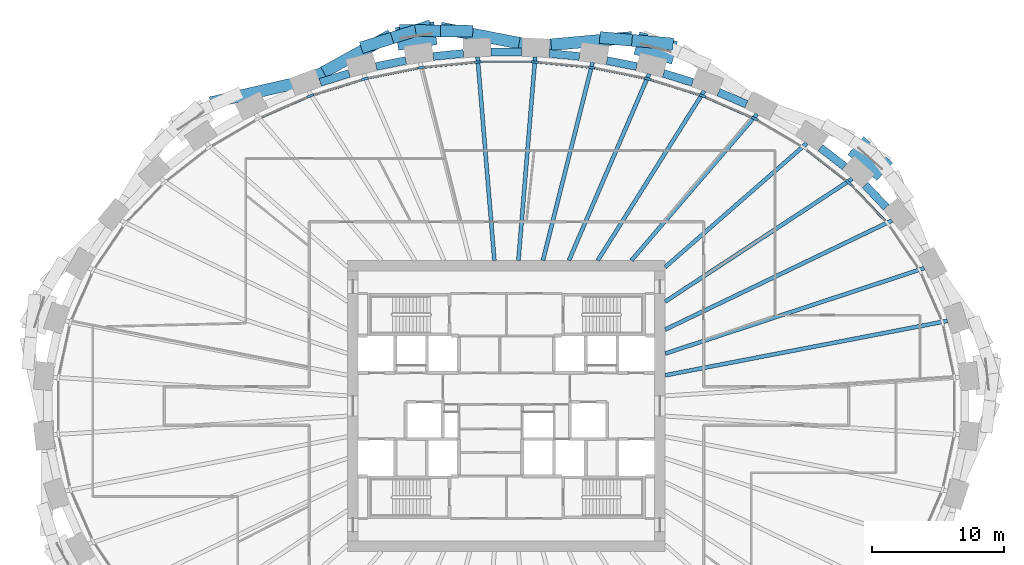
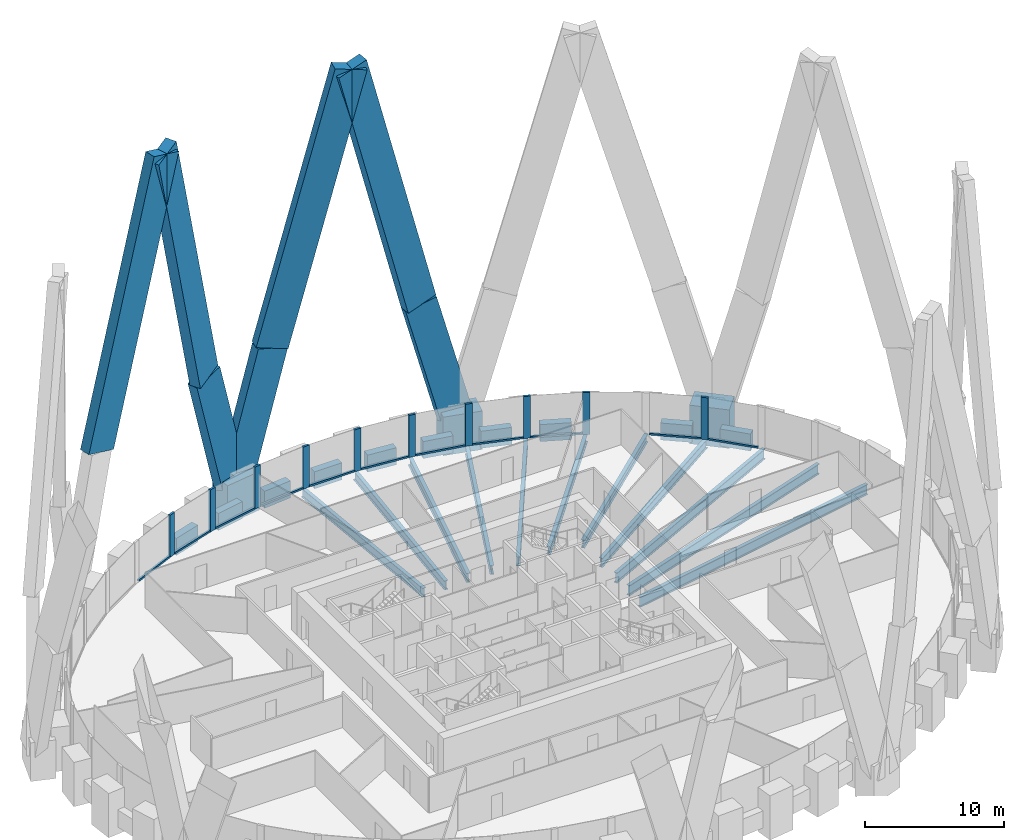
# One storey, part 4 of 12: 31 members, 21 beams, 1 element without a shape of its own.
"""IFC4 building model written with IfcOpenShell, lengths in metres."""

from ifc_helpers import new_model, si_unit, direction, frame, origin, origin_2d, place, context, subcontext, project, spatial, rectangle, i_section, extrude, source, transform, mapped, material, material_profile, profile_set, type_object, element, aggregate, save


model = new_model("IFC4")

# Units and contexts
model_context = context("Model", 3, precision=1e-05, world=origin(), true_north=direction((0.0, 1.0)))
body_context = subcontext(model_context, "Body", "Model", "MODEL_VIEW")
ifc_project = project(units=[si_unit("LENGTHUNIT", "METRE"), si_unit("AREAUNIT", "SQUARE_METRE"), si_unit("VOLUMEUNIT", "CUBIC_METRE"), si_unit("PLANEANGLEUNIT", "RADIAN"), si_unit("MASSUNIT", "GRAM", prefix="KILO")], contexts=[model_context])

# Site, building, storey
site_placement = place(None, origin())
site = spatial("IfcSite", under=ifc_project, at=site_placement, CompositionType="ELEMENT")
building_placement = place(site_placement, origin())
building = spatial("IfcBuilding", under=site, at=building_placement, Name="Embergate Tower", CompositionType="ELEMENT")
storey_placement = place(building_placement, frame((0.0, 0.0, 222.89990234375)))
storey = spatial("IfcBuildingStorey", under=building, at=storey_placement, Name="L51", CompositionType="ELEMENT", Elevation=222.89990234375)

# Beams
ifc_material_1 = material(Name="Concrete C60", Category="concrete")
ifc_material_profile_1 = material_profile(ifc_material_1, rectangle(XDim=0.60009765625, YDim=1.5, at=origin_2d()), Name="RC 600x1500")
ifc_profile_set_1 = profile_set([ifc_material_profile_1], Name="Concrete C60")
beam_type_1 = type_object("IfcBeamType", Name="Spandrel beam RC 600x1500 C60", PredefinedType="BEAM", material=ifc_profile_set_1)
shared_shape_1 = source(origin(), body_context, "Body", "SweptSolid", [
    extrude(rectangle(XDim=0.60009765625, YDim=1.5, at=origin_2d()), origin(), (0.0, 0.0, 1.0), 2.30712890625),
])
beam_1_placement = place(storey_placement, frame((28.697998046875, 15.01611328125, 0.0), z_axis=(-0.690460646057, 0.723369958076, 0.0), x_axis=(-0.723369958076, -0.690460646057, 0.0)))
element("IfcBeam", 1, at=beam_1_placement, inside=storey, type_object=beam_type_1, Name="SPN-L51-03", PredefinedType="BEAM", context=body_context, shape_type="MappedRepresentation", body=[
    mapped(shared_shape_1, transform((0.0, 0.0, 0.0))),
])
shared_shape_2 = source(origin(), body_context, "Body", "SweptSolid", [
    extrude(rectangle(XDim=0.60009765625, YDim=1.5, at=origin_2d()), origin(), (0.0, 0.0, 1.0), 2.30224609375),
])
beam_2_placement = place(storey_placement, frame((25.549072265625, 18.094970703125, 0.0), z_axis=(-0.788466304813, 0.6150779513, 0.0), x_axis=(-0.6150779513, -0.788466304813, 0.0)))
element("IfcBeam", 2, at=beam_2_placement, inside=storey, type_object=beam_type_1, Name="SPN-L51-04", PredefinedType="BEAM", context=body_context, shape_type="MappedRepresentation", body=[
    mapped(shared_shape_2, transform((0.0, 0.0, 0.0))),
])
shared_shape_3 = source(origin(), body_context, "Body", "SweptSolid", [
    extrude(rectangle(XDim=0.60009765625, YDim=1.5, at=origin_2d()), origin(), (0.0, 0.0, 1.0), 2.294189453125),
])
beam_3_placement = place(storey_placement, frame((18.135986328125, 22.7939453125, 0.0), z_axis=(-0.916269649714, 0.400562016437, 0.0), x_axis=(-0.400562016437, -0.916269649714, 0.0)))
element("IfcBeam", 3, at=beam_3_placement, inside=storey, type_object=beam_type_1, Name="SPN-L51-06", PredefinedType="BEAM", context=body_context, shape_type="MappedRepresentation", body=[
    mapped(shared_shape_3, transform((0.0, 0.0, 0.0))),
])
shared_shape_4 = source(origin(), body_context, "Body", "SweptSolid", [
    extrude(rectangle(XDim=0.60009765625, YDim=1.5, at=origin_2d()), origin(), (0.0, 0.0, 1.0), 2.29248046875),
])
for number, where, z_axis, x_axis, name in (
    (4, (14.06689453125, 24.447021484375, 0.0), (-0.954869530389, 0.297025554345, 0.0), (-0.297025554345, -0.954869530389, 0.0), "SPN-L51-07"),
    (5, (-11.8779296875, 25.1279296875, 0.0), (-0.954869530389, -0.297025554345, 0.0), (0.297025554345, -0.954869530389, 0.0), "SPN-L51-13"),
):
    element("IfcBeam", number, at=place(storey_placement, frame(where, z_axis=z_axis, x_axis=x_axis)), inside=storey, type_object=beam_type_1, Name=name, PredefinedType="BEAM", context=body_context, shape_type="MappedRepresentation", body=[
        mapped(shared_shape_4, transform((0.0, 0.0, 0.0))),
    ])
shared_shape_5 = source(origin(), body_context, "Body", "SweptSolid", [
    extrude(rectangle(XDim=0.60009765625, YDim=1.5, at=origin_2d()), origin(), (0.0, 0.0, 1.0), 2.289794921875),
])
for number, where, z_axis, x_axis, name in (
    (6, (9.843017578125, 25.64794921875, 0.0), (-0.980502681686, 0.196505702735, 0.0), (-0.196505702735, -0.980502681686, 0.0), "SPN-L51-08"),
    (7, (-7.597900390625, 26.097900390625, 0.0), (-0.980502681686, -0.196505702735, 0.0), (0.196505702735, -0.980502681686, 0.0), "SPN-L51-12"),
):
    element("IfcBeam", number, at=place(storey_placement, frame(where, z_axis=z_axis, x_axis=x_axis)), inside=storey, type_object=beam_type_1, Name=name, PredefinedType="BEAM", context=body_context, shape_type="MappedRepresentation", body=[
        mapped(shared_shape_5, transform((0.0, 0.0, 0.0))),
    ])
shared_shape_6 = source(origin(), body_context, "Body", "SweptSolid", [
    extrude(rectangle(XDim=0.60009765625, YDim=1.5, at=origin_2d()), origin(), (0.0, 0.0, 1.0), 2.2890625),
])
for number, where, z_axis, x_axis, name in (
    (8, (5.52099609375, 26.407958984375, 0.0), (-0.995195366702, 0.097909050116, 0.0), (-0.097909050116, -0.995195366702, 0.0), "SPN-L51-09"),
    (9, (-3.242919921875, 26.632080078125, 0.0), (-0.995195366702, -0.097909050116, 0.0), (0.097909050116, -0.995195366702, 0.0), "SPN-L51-11"),
):
    element("IfcBeam", number, at=place(storey_placement, frame(where, z_axis=z_axis, x_axis=x_axis)), inside=storey, type_object=beam_type_1, Name=name, PredefinedType="BEAM", context=body_context, shape_type="MappedRepresentation", body=[
        mapped(shared_shape_6, transform((0.0, 0.0, 0.0))),
    ])
shared_shape_7 = source(origin(), body_context, "Body", "SweptSolid", [
    extrude(rectangle(XDim=0.60009765625, YDim=1.5, at=origin_2d()), origin(), (0.0, 0.0, 1.0), 2.2900390625),
])
beam_4_placement = place(storey_placement, frame((1.14501953125, 26.735107421875, 0.0), z_axis=(-1.0, 0.0, 0.0), x_axis=(0.0, -1.0, 0.0)))
element("IfcBeam", 10, at=beam_4_placement, inside=storey, type_object=beam_type_1, Name="SPN-L51-10", PredefinedType="BEAM", context=body_context, shape_type="MappedRepresentation", body=[
    mapped(shared_shape_7, transform((0.0, 0.0, 0.0))),
])
ifc_material_2 = material(Name="Steel Q355B", Category="steel")
ifc_material_profile_2 = material_profile(ifc_material_2, i_section(OverallWidth=0.300048828125, OverallDepth=0.89990234375, WebThickness=0.01611328125, FlangeThickness=0.028076171875, FilletRadius=0.028076171875, at=origin_2d()), Name="HN 900x300x16x28")
ifc_profile_set_2 = profile_set([ifc_material_profile_2], Name="Steel Q355 grade B")
beam_type_2 = type_object("IfcBeamType", Name="Radial girder HN 900x300x16x28", PredefinedType="BEAM", material=ifc_profile_set_2)
shared_shape_8 = source(origin(), body_context, "Body", "SweptSolid", [
    extrude(i_section(OverallWidth=0.300048828125, OverallDepth=0.89990234375, WebThickness=0.01611328125, FlangeThickness=0.028076171875, FilletRadius=0.028076171875, at=origin_2d()), origin(), (0.0, 0.0, 1.0), 21.717041015625),
])
beam_5_placement = place(storey_placement, frame((33.323974609375, 6.427978515625, -0.64990234375), z_axis=(-0.981901494291, -0.189392332234, 0.0), x_axis=(0.189392332234, -0.981901494291, 0.0)))
element("IfcBeam", 11, at=beam_5_placement, inside=storey, type_object=beam_type_2, Name="GIR-L51-01", PredefinedType="BEAM", context=body_context, shape_type="MappedRepresentation", body=[
    mapped(shared_shape_8, transform((0.0, 0.0, 0.0))),
])
shared_shape_9 = source(origin(), body_context, "Body", "SweptSolid", [
    extrude(i_section(OverallWidth=0.300048828125, OverallDepth=0.89990234375, WebThickness=0.01611328125, FlangeThickness=0.028076171875, FilletRadius=0.028076171875, at=origin_2d()), origin(), (0.0, 0.0, 1.0), 20.614013671875),
])
beam_6_placement = place(storey_placement, frame((31.576904296875, 10.4130859375, -0.64990234375), z_axis=(-0.949691049508, -0.313188298767, 0.0), x_axis=(0.313188298767, -0.949691049508, 0.0)))
element("IfcBeam", 12, at=beam_6_placement, inside=storey, type_object=beam_type_2, Name="GIR-L51-02", PredefinedType="BEAM", context=body_context, shape_type="MappedRepresentation", body=[
    mapped(shared_shape_9, transform((0.0, 0.0, 0.0))),
])
shared_shape_10 = source(origin(), body_context, "Body", "SweptSolid", [
    extrude(i_section(OverallWidth=0.300048828125, OverallDepth=0.89990234375, WebThickness=0.01611328125, FlangeThickness=0.028076171875, FilletRadius=0.028076171875, at=origin_2d()), origin(), (0.0, 0.0, 1.0), 19.0078125),
])
beam_7_placement = place(storey_placement, frame((29.12890625, 14.012939453125, -0.64990234375), z_axis=(-0.901150926949, -0.433505486538, 0.0), x_axis=(0.433505486538, -0.901150926949, 0.0)))
element("IfcBeam", 13, at=beam_7_placement, inside=storey, type_object=beam_type_2, Name="GIR-L51-03", PredefinedType="BEAM", context=body_context, shape_type="MappedRepresentation", body=[
    mapped(shared_shape_10, transform((0.0, 0.0, 0.0))),
])
ifc_material_profile_3 = material_profile(ifc_material_2, i_section(OverallWidth=0.300048828125, OverallDepth=0.800048828125, WebThickness=0.013916015625, FlangeThickness=0.02587890625, FilletRadius=0.028076171875, at=origin_2d()), Name="HN 800x300x14x26")
ifc_profile_set_3 = profile_set([ifc_material_profile_3], Name="Steel Q355 grade B")
beam_type_3 = type_object("IfcBeamType", Name="Radial girder HN 800x300x14x26", PredefinedType="BEAM", material=ifc_profile_set_3)
shared_shape_11 = source(origin(), body_context, "Body", "SweptSolid", [
    extrude(i_section(OverallWidth=0.300048828125, OverallDepth=0.800048828125, WebThickness=0.013916015625, FlangeThickness=0.02587890625, FilletRadius=0.028076171875, at=origin_2d()), origin(), (0.0, 0.0, 1.0), 16.89990234375),
])
beam_8_placement = place(storey_placement, frame((26.1240234375, 17.1640625, -0.599853515625), z_axis=(-0.83574544769, -0.549117060986, 0.0), x_axis=(0.549117060986, -0.83574544769, 0.0)))
element("IfcBeam", 14, at=beam_8_placement, inside=storey, type_object=beam_type_3, Name="GIR-L51-04", PredefinedType="BEAM", context=body_context, shape_type="MappedRepresentation", body=[
    mapped(shared_shape_11, transform((0.0, 0.0, 0.0))),
])
ifc_material_profile_4 = material_profile(ifc_material_2, i_section(OverallWidth=0.300048828125, OverallDepth=0.699951171875, WebThickness=0.012939453125, FlangeThickness=0.02392578125, FilletRadius=0.01806640625, at=origin_2d()), Name="HN 700x300x13x24")
ifc_profile_set_4 = profile_set([ifc_material_profile_4], Name="Steel Q355 grade B")
beam_type_4 = type_object("IfcBeamType", Name="Radial girder HN 700x300x13x24", PredefinedType="BEAM", material=ifc_profile_set_4)
shared_shape_12 = source(origin(), body_context, "Body", "SweptSolid", [
    extrude(i_section(OverallWidth=0.300048828125, OverallDepth=0.699951171875, WebThickness=0.012939453125, FlangeThickness=0.02392578125, FilletRadius=0.01806640625, at=origin_2d()), origin(), (0.0, 0.0, 1.0), 14.2021484375),
])
beam_9_placement = place(storey_placement, frame((22.69091796875, 19.843017578125, -0.5498046875), z_axis=(-0.752766213958, -0.658287951525, 0.0), x_axis=(0.658287951525, -0.752766213958, 0.0)))
element("IfcBeam", 15, at=beam_9_placement, inside=storey, type_object=beam_type_4, Name="GIR-L51-05", PredefinedType="BEAM", context=body_context, shape_type="MappedRepresentation", body=[
    mapped(shared_shape_12, transform((0.0, 0.0, 0.0))),
])
shared_shape_13 = source(origin(), body_context, "Body", "SweptSolid", [
    extrude(i_section(OverallWidth=0.300048828125, OverallDepth=0.699951171875, WebThickness=0.012939453125, FlangeThickness=0.02392578125, FilletRadius=0.01806640625, at=origin_2d()), origin(), (0.0, 0.0, 1.0), 14.566650390625),
])
beam_10_placement = place(storey_placement, frame((18.93603515625, 22.051025390625, -0.5498046875), z_axis=(-0.651490890216, -0.758656457144, 0.0), x_axis=(0.758656457144, -0.651490890216, 0.0)))
element("IfcBeam", 16, at=beam_10_placement, inside=storey, type_object=beam_type_4, Name="GIR-L51-06", PredefinedType="BEAM", context=body_context, shape_type="MappedRepresentation", body=[
    mapped(shared_shape_13, transform((0.0, 0.0, 0.0))),
])
shared_shape_14 = source(origin(), body_context, "Body", "SweptSolid", [
    extrude(i_section(OverallWidth=0.300048828125, OverallDepth=0.800048828125, WebThickness=0.013916015625, FlangeThickness=0.02587890625, FilletRadius=0.028076171875, at=origin_2d()), origin(), (0.0, 0.0, 1.0), 15.111572265625),
])
beam_11_placement = place(storey_placement, frame((14.945068359375, 23.797119140625, -0.599853515625), z_axis=(-0.531849241283, -0.846839054689, 0.0), x_axis=(0.846839054689, -0.531849241283, 0.0)))
element("IfcBeam", 17, at=beam_11_placement, inside=storey, type_object=beam_type_3, Name="GIR-L51-07", PredefinedType="BEAM", context=body_context, shape_type="MappedRepresentation", body=[
    mapped(shared_shape_14, transform((0.0, 0.0, 0.0))),
])
shared_shape_15 = source(origin(), body_context, "Body", "SweptSolid", [
    extrude(i_section(OverallWidth=0.300048828125, OverallDepth=0.800048828125, WebThickness=0.013916015625, FlangeThickness=0.02587890625, FilletRadius=0.028076171875, at=origin_2d()), origin(), (0.0, 0.0, 1.0), 15.338623046875),
])
beam_12_placement = place(storey_placement, frame((10.784912109375, 25.092041015625, -0.599853515625), z_axis=(-0.394879579292, -0.91873288711, 0.0), x_axis=(0.91873288711, -0.394879579292, 0.0)))
element("IfcBeam", 18, at=beam_12_placement, inside=storey, type_object=beam_type_3, Name="GIR-L51-08", PredefinedType="BEAM", context=body_context, shape_type="MappedRepresentation", body=[
    mapped(shared_shape_15, transform((0.0, 0.0, 0.0))),
])
shared_shape_16 = source(origin(), body_context, "Body", "SweptSolid", [
    extrude(i_section(OverallWidth=0.300048828125, OverallDepth=0.800048828125, WebThickness=0.013916015625, FlangeThickness=0.02587890625, FilletRadius=0.028076171875, at=origin_2d()), origin(), (0.0, 0.0, 1.0), 15.412841796875),
])
beam_13_placement = place(storey_placement, frame((6.513916015625, 25.948974609375, -0.599853515625), z_axis=(-0.243493364417, -0.969902562882, 0.0), x_axis=(0.969902562882, -0.243493364417, 0.0)))
element("IfcBeam", 19, at=beam_13_placement, inside=storey, type_object=beam_type_3, Name="GIR-L51-09", PredefinedType="BEAM", context=body_context, shape_type="MappedRepresentation", body=[
    mapped(shared_shape_16, transform((0.0, 0.0, 0.0))),
])
shared_shape_17 = source(origin(), body_context, "Body", "SweptSolid", [
    extrude(i_section(OverallWidth=0.300048828125, OverallDepth=0.800048828125, WebThickness=0.013916015625, FlangeThickness=0.02587890625, FilletRadius=0.028076171875, at=origin_2d()), origin(), (0.0, 0.0, 1.0), 15.42724609375),
])
for number, where, z_axis, x_axis, name in (
    (20, (2.178955078125, 26.375, -0.599853515625), (-0.0823225207, -0.996605740795, 0.0), (0.996605740795, -0.0823225207, 0.0), "GIR-L51-10"),
    (21, (-2.178955078125, 26.375, -0.599853515625), (0.0823225207, -0.996605740795, 0.0), (0.996605740795, 0.0823225207, 0.0), "GIR-L51-11"),
):
    element("IfcBeam", number, at=place(storey_placement, frame(where, z_axis=z_axis, x_axis=x_axis)), inside=storey, type_object=beam_type_3, Name=name, PredefinedType="BEAM", context=body_context, shape_type="MappedRepresentation", body=[
        mapped(shared_shape_17, transform((0.0, 0.0, 0.0))),
    ])

# Members
ifc_material_3 = material(Name="Concrete C70", Category="concrete")
ifc_material_profile_5 = material_profile(ifc_material_3, rectangle(XDim=1.800048828125, YDim=2.949951171875, at=origin_2d()), Name="RC 1800x2950")
ifc_profile_set_5 = profile_set([ifc_material_profile_5], Name="Concrete C70")
member_type_1 = type_object("IfcMemberType", Name="Lattice node block RC 1800x2950", PredefinedType="POST", material=ifc_profile_set_5)
shared_shape_18 = source(origin(), body_context, "Body", "SweptSolid", [
    extrude(rectangle(XDim=1.800048828125, YDim=2.949951171875, at=origin_2d()), origin(), (0.0, 0.0, 1.0), 3.400146484375),
])
member_1_placement = place(storey_placement, frame((27.49609375, 18.68701171875, -1.699951171875), z_axis=(0.0, 0.0, 1.0), x_axis=(0.669221393633, 0.743063070206, 0.0)))
element("IfcMember", 22, at=member_1_placement, inside=storey, type_object=member_type_1, Name="NOD-L51-04", PredefinedType="POST", context=body_context, shape_type="MappedRepresentation", body=[
    mapped(shared_shape_18, transform((0.0, 0.0, 0.0))),
])
ifc_material_profile_6 = material_profile(ifc_material_3, rectangle(XDim=1.75, YDim=2.949951171875, at=origin_2d()), Name="RC 1750x2950")
ifc_profile_set_6 = profile_set([ifc_material_profile_6], Name="Concrete C70")
member_type_2 = type_object("IfcMemberType", Name="Lattice node block RC 1750x2950", PredefinedType="POST", material=ifc_profile_set_6)
shared_shape_19 = source(origin(), body_context, "Body", "SweptSolid", [
    extrude(rectangle(XDim=1.75, YDim=2.949951171875, at=origin_2d()), origin(), (0.0, 0.0, 1.0), 3.400146484375),
])
for number, where, z_axis, x_axis, name in (
    (23, (11.284912109375, 27.053955078125, -1.699951171875), (0.0, 0.0, 1.0), (0.24650851817, 0.969140624713, 0.0), "NOD-L51-08"),
    (24, (-6.81201171875, 27.951904296875, -1.699951171875), (0.0, 0.0, 1.0), (-0.146929011949, 0.989147039346, 0.0), "NOD-L51-12"),
):
    element("IfcMember", number, at=place(storey_placement, frame(where, z_axis=z_axis, x_axis=x_axis)), inside=storey, type_object=member_type_2, Name=name, PredefinedType="POST", context=body_context, shape_type="MappedRepresentation", body=[
        mapped(shared_shape_19, transform((0.0, 0.0, 0.0))),
    ])
ifc_material_profile_7 = material_profile(ifc_material_3, rectangle(XDim=0.89990234375, YDim=2.530029296875, at=origin_2d()), Name="RC 900x2530")
ifc_profile_set_7 = profile_set([ifc_material_profile_7], Name="Concrete C70")
member_type_3 = type_object("IfcMemberType", Name="Lattice diagonal terracotta-faced RC 900x2530", PredefinedType="BRACE", material=ifc_profile_set_7)
shared_shape_20 = source(origin(), body_context, "Body", "SweptSolid", [
    extrude(rectangle(XDim=0.89990234375, YDim=2.530029296875, at=origin_2d()), origin(), (0.0, 0.0, 1.0), 12.111083984375),
])
member_2_placement = place(storey_placement, frame((11.387939453125, 27.4599609375, 0.0), z_axis=(-0.257281212503, 0.022718477356, 0.966069484292), x_axis=(-0.087959866006, -0.996124019373, 0.0)))
element("IfcMember", 25, at=member_2_placement, inside=storey, type_object=member_type_3, Name="BRC-L51-08-10-S00", PredefinedType="BRACE", context=body_context, shape_type="MappedRepresentation", body=[
    mapped(shared_shape_20, transform((0.0, 0.0, 0.0))),
])
shared_shape_21 = source(origin(), body_context, "Body", "SweptSolid", [
    extrude(rectangle(XDim=0.89990234375, YDim=2.530029296875, at=origin_2d()), origin(), (0.0, 0.0, 1.0), 23.99658203125),
])
member_3_placement = place(storey_placement, frame((8.27197265625, 27.735107421875, 11.7001953125), z_axis=(-0.254491023304, -0.023094851799, 0.966799331236), x_axis=(0.090377794256, -0.995907553092, 0.0)))
element("IfcMember", 26, at=member_3_placement, inside=storey, type_object=member_type_3, Name="BRC-L51-08-10-S01", PredefinedType="BRACE", context=body_context, shape_type="MappedRepresentation", body=[
    mapped(shared_shape_21, transform((0.0, 0.0, 0.0))),
])
shared_shape_22 = source(origin(), body_context, "Body", "SweptSolid", [
    extrude(rectangle(XDim=0.89990234375, YDim=2.530029296875, at=origin_2d()), origin(), (0.0, 0.0, 1.0), 12.1064453125),
])
member_4_placement = place(storey_placement, frame((-6.873046875, 28.362060546875, 0.0), z_axis=(0.256894528518, -0.00298456631, 0.966434836697), x_axis=(0.011617082414, 0.999932519421, 0.0)))
element("IfcMember", 27, at=member_4_placement, inside=storey, type_object=member_type_3, Name="BRC-L51-12-10-S00", PredefinedType="BRACE", context=body_context, shape_type="MappedRepresentation", body=[
    mapped(shared_shape_22, transform((0.0, 0.0, 0.0))),
])
shared_shape_23 = source(origin(), body_context, "Body", "SweptSolid", [
    extrude(rectangle(XDim=0.89990234375, YDim=2.530029296875, at=origin_2d()), origin(), (0.0, 0.0, 1.0), 23.97265625),
])
member_5_placement = place(storey_placement, frame((-3.762939453125, 28.325927734375, 11.7001953125), z_axis=(0.247280517904, -0.04776350352, 0.967765980595), x_axis=(0.189649726117, 0.981851812334, 0.0)))
element("IfcMember", 28, at=member_5_placement, inside=storey, type_object=member_type_3, Name="BRC-L51-12-10-S01", PredefinedType="BRACE", context=body_context, shape_type="MappedRepresentation", body=[
    mapped(shared_shape_23, transform((0.0, 0.0, 0.0))),
])
shared_shape_24 = source(origin(), body_context, "Body", "SweptSolid", [
    extrude(rectangle(XDim=0.89990234375, YDim=2.530029296875, at=origin_2d()), origin(), (0.0, 0.0, 1.0), 12.096923828125),
])
member_6_placement = place(storey_placement, frame((-6.873046875, 28.362060546875, 0.0), z_axis=(-0.242042463516, -0.077054792438, 0.967201119115), x_axis=(0.30335123035, -0.95287881236, 0.0)))
element("IfcMember", 29, at=member_6_placement, inside=storey, type_object=member_type_3, Name="BRC-L51-12-14-S00", PredefinedType="BRACE", context=body_context, shape_type="MappedRepresentation", body=[
    mapped(shared_shape_24, transform((0.0, 0.0, 0.0))),
])
shared_shape_25 = source(origin(), body_context, "Body", "SweptSolid", [
    extrude(rectangle(XDim=0.89990234375, YDim=2.530029296875, at=origin_2d()), origin(), (0.0, 0.0, 1.0), 23.916015625),
])
member_7_placement = place(storey_placement, frame((-9.801025390625, 27.429931640625, 11.7001953125), z_axis=(-0.212657890983, -0.117323211457, 0.970057671201), x_axis=(0.483060676074, -0.875586879316, 0.0)))
element("IfcMember", 30, at=member_7_placement, inside=storey, type_object=member_type_3, Name="BRC-L51-12-14-S01", PredefinedType="BRACE", context=body_context, shape_type="MappedRepresentation", body=[
    mapped(shared_shape_25, transform((0.0, 0.0, 0.0))),
])
shared_shape_26 = source(origin(), body_context, "Body", "SweptSolid", [
    extrude(rectangle(XDim=0.89990234375, YDim=2.530029296875, at=origin_2d()), origin(), (0.0, 0.0, 1.0), 24.075927734375),
])
member_8_placement = place(storey_placement, frame((-21.159912109375, 23.18603515625, 11.7001953125), z_axis=(0.260547442826, 0.059726957198, 0.963611810129), x_axis=(-0.223440732413, 0.974717517591, 0.0)))
element("IfcMember", 31, at=member_8_placement, inside=storey, type_object=member_type_3, Name="BRC-L51-16-14-S01", PredefinedType="BRACE", context=body_context, shape_type="MappedRepresentation", body=[
    mapped(shared_shape_26, transform((0.0, 0.0, 0.0))),
])

# Curtain wall, members
ifc_material_4 = material(Name="Aluminium and glass", Category="aluminium")
curtain_wall_type = type_object("IfcCurtainWallType", Name="Recessed office glazing", PredefinedType="NOTDEFINED", material=ifc_material_4)
curtain_wall_placement = place(storey_placement, origin())
curtain_wall = element("IfcCurtainWall", 32, at=curtain_wall_placement, inside=storey, type_object=curtain_wall_type, Name="Recessed office glazing ring", ObjectType="RECESSED OFFICE GLAZING", PredefinedType="USERDEFINED")
ifc_material_5 = material(Name="Aluminium, thermally broken", Category="aluminium")
ifc_material_profile_8 = material_profile(ifc_material_5, rectangle(XDim=0.179931640625, YDim=0.52001953125, at=origin_2d()), Name="AL 520x180")
ifc_profile_set_8 = profile_set([ifc_material_profile_8], Name="Aluminium, thermally broken")
member_type_4 = type_object("IfcMemberType", Name="Office mullion", PredefinedType="MULLION", material=ifc_profile_set_8)
shared_shape_27 = source(origin(), body_context, "Body", "SweptSolid", [
    extrude(rectangle(XDim=0.179931640625, YDim=0.52001953125, at=origin_2d()), origin(), (0.0, 0.0, 1.0), 3.7001953125),
])
member_9_placement = place(storey_placement, frame((25.86279296875, 16.87451171875, 0.0), z_axis=(0.0, 0.0, 1.0), x_axis=(-0.671227827685, -0.741251106806, 0.0)))
member_9 = element("IfcMember", 33, at=member_9_placement, type_object=member_type_4, Name="CW mullion 5", PredefinedType="MULLION", context=body_context, shape_type="MappedRepresentation", body=[
    mapped(shared_shape_27, transform((0.0, 0.0, 0.0))),
])
member_10_placement = place(storey_placement, frame((18.759521484375, 21.70361328125, 0.0), z_axis=(0.0, 0.0, 1.0), x_axis=(-0.454512935162, -0.89074013706, 0.0)))
member_10 = element("IfcMember", 34, at=member_10_placement, type_object=member_type_4, Name="CW mullion 7", PredefinedType="MULLION", context=body_context, shape_type="MappedRepresentation", body=[
    mapped(shared_shape_27, transform((0.0, 0.0, 0.0))),
])
member_11_placement = place(storey_placement, frame((14.80908203125, 23.430908203125, 0.0), z_axis=(0.0, 0.0, 1.0), x_axis=(-0.349504318111, -0.93693475313, 0.0)))
member_11 = element("IfcMember", 35, at=member_11_placement, type_object=member_type_4, Name="CW mullion 8", PredefinedType="MULLION", context=body_context, shape_type="MappedRepresentation", body=[
    mapped(shared_shape_27, transform((0.0, 0.0, 0.0))),
])
member_12_placement = place(storey_placement, frame((10.689453125, 24.7138671875, 0.0), z_axis=(0.0, 0.0, 1.0), x_axis=(-0.247313572481, -0.968935496752, 0.0)))
member_12 = element("IfcMember", 36, at=member_12_placement, type_object=member_type_4, Name="CW mullion 9", PredefinedType="MULLION", context=body_context, shape_type="MappedRepresentation", body=[
    mapped(shared_shape_27, transform((0.0, 0.0, 0.0))),
])
member_13_placement = place(storey_placement, frame((6.456787109375, 25.562744140625, 0.0), z_axis=(0.0, 0.0, 1.0), x_axis=(-0.14741410908, -0.98907486089, 0.0)))
member_13 = element("IfcMember", 37, at=member_13_placement, type_object=member_type_4, Name="CW mullion 10", PredefinedType="MULLION", context=body_context, shape_type="MappedRepresentation", body=[
    mapped(shared_shape_27, transform((0.0, 0.0, 0.0))),
])
member_14_placement = place(storey_placement, frame((2.1591796875, 25.9853515625, 0.0), z_axis=(0.0, 0.0, 1.0), x_axis=(-0.048971796621, -0.998800161762, 0.0)))
member_14 = element("IfcMember", 38, at=member_14_placement, type_object=member_type_4, Name="CW mullion 11", PredefinedType="MULLION", context=body_context, shape_type="MappedRepresentation", body=[
    mapped(shared_shape_27, transform((0.0, 0.0, 0.0))),
])
member_15_placement = place(storey_placement, frame((-2.1591796875, 25.9853515625, 0.0), z_axis=(0.0, 0.0, 1.0), x_axis=(0.048971796621, -0.998800161762, 0.0)))
member_15 = element("IfcMember", 39, at=member_15_placement, type_object=member_type_4, Name="CW mullion 12", PredefinedType="MULLION", context=body_context, shape_type="MappedRepresentation", body=[
    mapped(shared_shape_27, transform((0.0, 0.0, 0.0))),
])
member_16_placement = place(storey_placement, frame((-6.456787109375, 25.562744140625, 0.0), z_axis=(0.0, 0.0, 1.0), x_axis=(0.14741410908, -0.98907486089, 0.0)))
member_16 = element("IfcMember", 40, at=member_16_placement, type_object=member_type_4, Name="CW mullion 13", PredefinedType="MULLION", context=body_context, shape_type="MappedRepresentation", body=[
    mapped(shared_shape_27, transform((0.0, 0.0, 0.0))),
])
member_17_placement = place(storey_placement, frame((-10.689453125, 24.7138671875, 0.0), z_axis=(0.0, 0.0, 1.0), x_axis=(0.247313572481, -0.968935496752, 0.0)))
member_17 = element("IfcMember", 41, at=member_17_placement, type_object=member_type_4, Name="CW mullion 14", PredefinedType="MULLION", context=body_context, shape_type="MappedRepresentation", body=[
    mapped(shared_shape_27, transform((0.0, 0.0, 0.0))),
])
member_18_placement = place(storey_placement, frame((-14.80908203125, 23.430908203125, 0.0), z_axis=(0.0, 0.0, 1.0), x_axis=(0.349504318111, -0.93693475313, 0.0)))
member_18 = element("IfcMember", 42, at=member_18_placement, type_object=member_type_4, Name="CW mullion 15", PredefinedType="MULLION", context=body_context, shape_type="MappedRepresentation", body=[
    mapped(shared_shape_27, transform((0.0, 0.0, 0.0))),
])
ifc_material_profile_9 = material_profile(ifc_material_5, rectangle(XDim=0.179931640625, YDim=0.14990234375, at=origin_2d()), Name="AL 150x180")
ifc_profile_set_9 = profile_set([ifc_material_profile_9], Name="Aluminium, thermally broken")
member_type_5 = type_object("IfcMemberType", Name="Office sill transom", PredefinedType="USERDEFINED", material=ifc_profile_set_9)
shared_shape_28 = source(origin(), body_context, "Body", "SweptSolid", [
    extrude(rectangle(XDim=0.179931640625, YDim=0.14990234375, at=origin_2d()), origin(), (0.0, 0.0, 1.0), 3.773681640625),
])
member_19_placement = place(storey_placement, frame((28.646484375, 13.955322265625, 0.0751953125), z_axis=(-0.690118677227, 0.723696214818, 0.0), x_axis=(-0.723696214818, -0.690118677227, 0.0)))
member_19 = element("IfcMember", 43, at=member_19_placement, type_object=member_type_5, Name="CW transom 4.1", ObjectType="TRANSOM", PredefinedType="USERDEFINED", context=body_context, shape_type="MappedRepresentation", body=[
    mapped(shared_shape_28, transform((0.0, 0.0, 0.0))),
])
shared_shape_29 = source(origin(), body_context, "Body", "SweptSolid", [
    extrude(rectangle(XDim=0.179931640625, YDim=0.14990234375, at=origin_2d()), origin(), (0.0, 0.0, 1.0), 3.781005859375),
])
member_20_placement = place(storey_placement, frame((25.657958984375, 17.034423828125, 0.0751953125), z_axis=(-0.788315019644, 0.615271834073, 0.0), x_axis=(-0.615271834073, -0.788315019644, 0.0)))
member_20 = element("IfcMember", 44, at=member_20_placement, type_object=member_type_5, Name="CW transom 5.1", ObjectType="TRANSOM", PredefinedType="USERDEFINED", context=body_context, shape_type="MappedRepresentation", body=[
    mapped(shared_shape_29, transform((0.0, 0.0, 0.0))),
])
shared_shape_30 = source(origin(), body_context, "Body", "SweptSolid", [
    extrude(rectangle(XDim=0.179931640625, YDim=0.14990234375, at=origin_2d()), origin(), (0.0, 0.0, 1.0), 3.79150390625),
])
member_21_placement = place(storey_placement, frame((18.521240234375, 21.807861328125, 0.0751953125), z_axis=(-0.916232688924, 0.400646552146, 0.0), x_axis=(-0.400646552146, -0.916232688924, 0.0)))
member_21 = element("IfcMember", 45, at=member_21_placement, type_object=member_type_5, Name="CW transom 7.1", ObjectType="TRANSOM", PredefinedType="USERDEFINED", context=body_context, shape_type="MappedRepresentation", body=[
    mapped(shared_shape_30, transform((0.0, 0.0, 0.0))),
])
member_22_placement = place(storey_placement, frame((-15.04736328125, 23.326904296875, 0.0751953125), z_axis=(-0.916232688924, -0.400646552146, 0.0), x_axis=(0.400646552146, -0.916232688924, 0.0)))
member_22 = element("IfcMember", 46, at=member_22_placement, type_object=member_type_5, Name="CW transom 15.1", ObjectType="TRANSOM", PredefinedType="USERDEFINED", context=body_context, shape_type="MappedRepresentation", body=[
    mapped(shared_shape_30, transform((0.0, 0.0, 0.0))),
])
shared_shape_31 = source(origin(), body_context, "Body", "SweptSolid", [
    extrude(rectangle(XDim=0.179931640625, YDim=0.14990234375, at=origin_2d()), origin(), (0.0, 0.0, 1.0), 3.794677734375),
])
member_23_placement = place(storey_placement, frame((14.560791015625, 23.50830078125, 0.0751953125), z_axis=(-0.954763453415, 0.297366353213, 0.0), x_axis=(-0.297366353213, -0.954763453415, 0.0)))
member_23 = element("IfcMember", 47, at=member_23_placement, type_object=member_type_5, Name="CW transom 8.1", ObjectType="TRANSOM", PredefinedType="USERDEFINED", context=body_context, shape_type="MappedRepresentation", body=[
    mapped(shared_shape_31, transform((0.0, 0.0, 0.0))),
])
member_24_placement = place(storey_placement, frame((-10.937744140625, 24.63671875, 0.0751953125), z_axis=(-0.954763453415, -0.297366353213, 0.0), x_axis=(0.297366353213, -0.954763453415, 0.0)))
member_24 = element("IfcMember", 48, at=member_24_placement, type_object=member_type_5, Name="CW transom 14.1", ObjectType="TRANSOM", PredefinedType="USERDEFINED", context=body_context, shape_type="MappedRepresentation", body=[
    mapped(shared_shape_31, transform((0.0, 0.0, 0.0))),
])
shared_shape_32 = source(origin(), body_context, "Body", "SweptSolid", [
    extrude(rectangle(XDim=0.179931640625, YDim=0.14990234375, at=origin_2d()), origin(), (0.0, 0.0, 1.0), 3.797119140625),
])
member_25_placement = place(storey_placement, frame((10.4345703125, 24.76513671875, 0.0751953125), z_axis=(-0.980479151748, 0.196623073385, 0.0), x_axis=(-0.196623073385, -0.980479151748, 0.0)))
member_25 = element("IfcMember", 49, at=member_25_placement, type_object=member_type_5, Name="CW transom 9.1", ObjectType="TRANSOM", PredefinedType="USERDEFINED", context=body_context, shape_type="MappedRepresentation", body=[
    mapped(shared_shape_32, transform((0.0, 0.0, 0.0))),
])
member_26_placement = place(storey_placement, frame((-6.711669921875, 25.51171875, 0.0751953125), z_axis=(-0.980479151748, -0.196623073385, 0.0), x_axis=(0.196623073385, -0.980479151748, 0.0)))
member_26 = element("IfcMember", 50, at=member_26_placement, type_object=member_type_5, Name="CW transom 13.1", ObjectType="TRANSOM", PredefinedType="USERDEFINED", context=body_context, shape_type="MappedRepresentation", body=[
    mapped(shared_shape_32, transform((0.0, 0.0, 0.0))),
])
shared_shape_33 = source(origin(), body_context, "Body", "SweptSolid", [
    extrude(rectangle(XDim=0.179931640625, YDim=0.14990234375, at=origin_2d()), origin(), (0.0, 0.0, 1.0), 3.798095703125),
])
member_27_placement = place(storey_placement, frame((6.197998046875, 25.58837890625, 0.0751953125), z_axis=(-0.995202542426, 0.097836085104, 0.0), x_axis=(-0.097836085104, -0.995202542426, 0.0)))
member_27 = element("IfcMember", 51, at=member_27_placement, type_object=member_type_5, Name="CW transom 10.1", ObjectType="TRANSOM", PredefinedType="USERDEFINED", context=body_context, shape_type="MappedRepresentation", body=[
    mapped(shared_shape_33, transform((0.0, 0.0, 0.0))),
])
member_28_placement = place(storey_placement, frame((-2.418212890625, 25.9599609375, 0.0751953125), z_axis=(-0.995202542426, -0.097836085104, 0.0), x_axis=(0.097836085104, -0.995202542426, 0.0)))
member_28 = element("IfcMember", 52, at=member_28_placement, type_object=member_type_5, Name="CW transom 12.1", ObjectType="TRANSOM", PredefinedType="USERDEFINED", context=body_context, shape_type="MappedRepresentation", body=[
    mapped(shared_shape_33, transform((0.0, 0.0, 0.0))),
])
shared_shape_34 = source(origin(), body_context, "Body", "SweptSolid", [
    extrude(rectangle(XDim=0.179931640625, YDim=0.14990234375, at=origin_2d()), origin(), (0.0, 0.0, 1.0), 3.798828125),
])
member_29_placement = place(storey_placement, frame((1.8994140625, 25.9853515625, 0.0751953125), z_axis=(-1.0, 0.0, 0.0), x_axis=(0.0, -1.0, 0.0)))
member_29 = element("IfcMember", 53, at=member_29_placement, type_object=member_type_5, Name="CW transom 11.1", ObjectType="TRANSOM", PredefinedType="USERDEFINED", context=body_context, shape_type="MappedRepresentation", body=[
    mapped(shared_shape_34, transform((0.0, 0.0, 0.0))),
])
aggregate(curtain_wall, [member_9, member_10, member_11, member_12, member_13, member_14, member_15, member_16, member_17, member_18, member_19, member_20, member_21, member_23, member_25, member_27, member_29, member_28, member_26, member_24, member_22])

save(model, "model.ifc")
